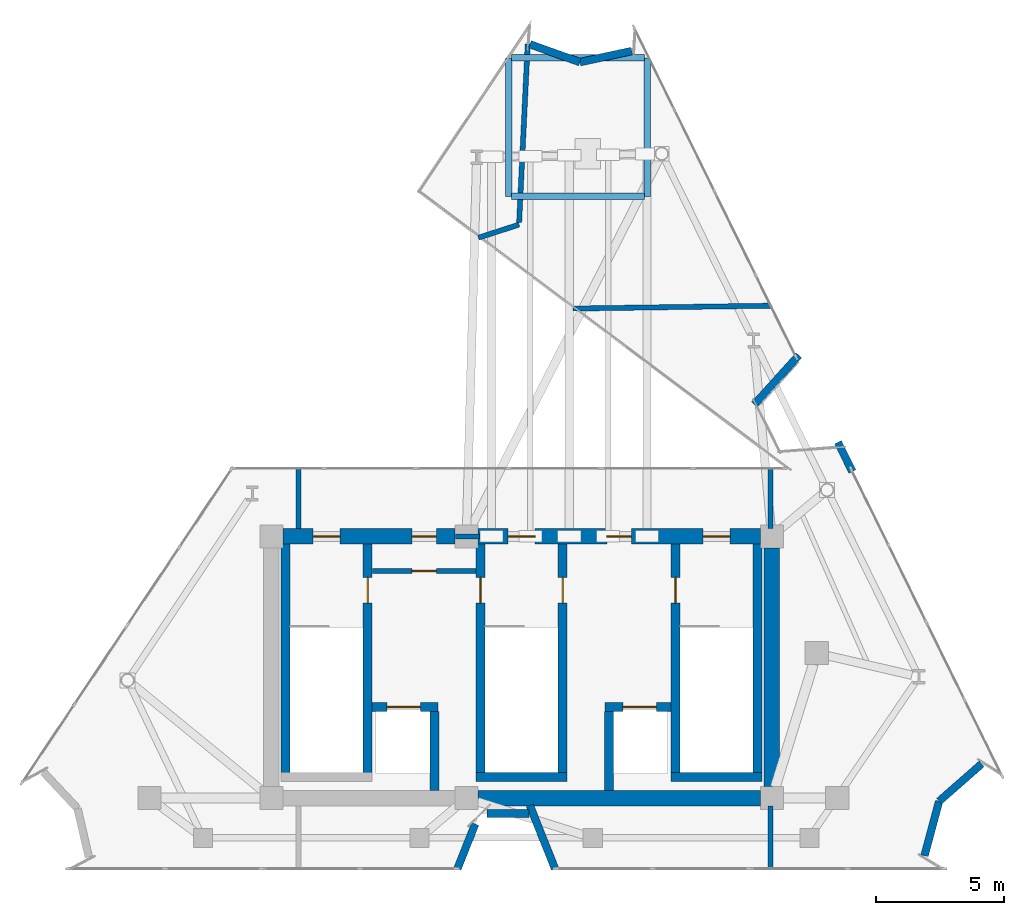
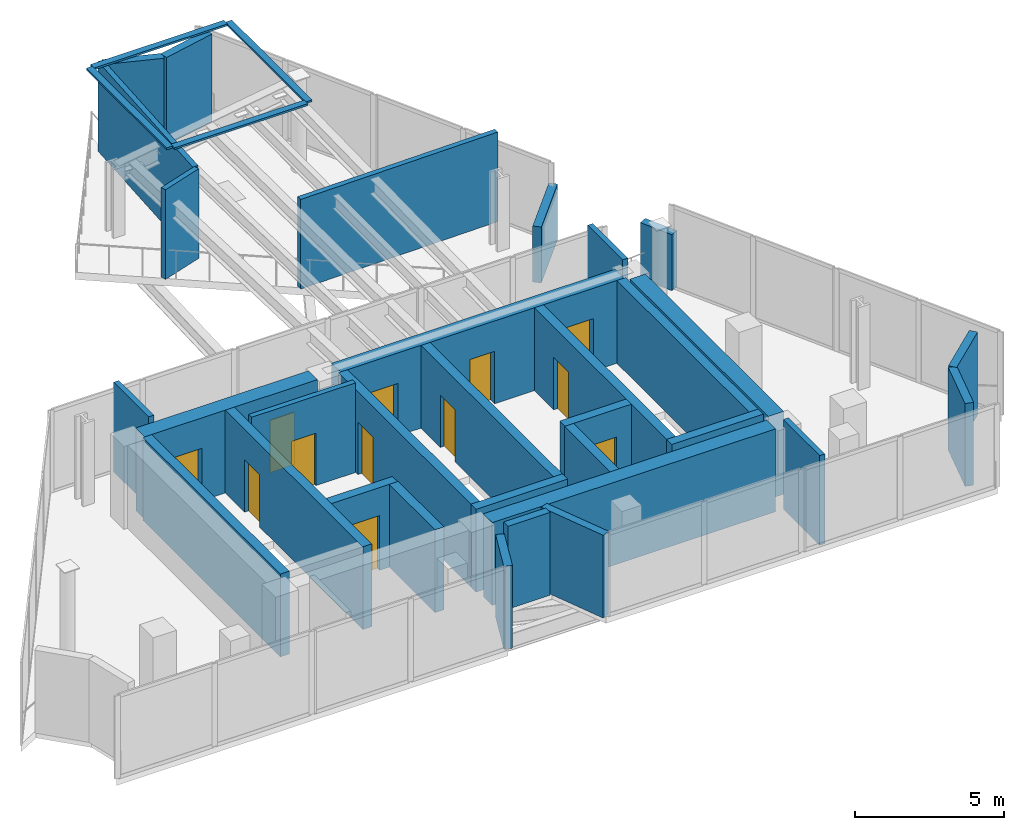
# One storey, part 6 of 7: 37 walls, 12 doors, 12 openings.
"""IFC4 building model written with IfcOpenShell, lengths in metres."""

from ifc_helpers import new_model, si_unit, direction, frame, frame_2d, origin, place, context, subcontext, project, spatial, rectangle, extrude, material, layer, layer_set, type_object, element, fill, save


model = new_model("IFC4")

# Units and contexts
model_context = context("Model", 3, precision=1e-05, world=origin(), true_north=direction((0.0, 1.0)))
body_context = subcontext(model_context, "Body", "Model", "MODEL_VIEW")
ifc_project = project(units=[si_unit("LENGTHUNIT", "METRE"), si_unit("AREAUNIT", "SQUARE_METRE"), si_unit("VOLUMEUNIT", "CUBIC_METRE"), si_unit("PLANEANGLEUNIT", "RADIAN"), si_unit("MASSUNIT", "GRAM", prefix="KILO")], contexts=[model_context])

# Site, building, storey
site_placement = place(None, origin())
site = spatial("IfcSite", under=ifc_project, at=site_placement, CompositionType="ELEMENT")
building_placement = place(site_placement, origin())
building = spatial("IfcBuilding", under=site, at=building_placement, Name="Almagre Mirador Tower", CompositionType="ELEMENT")
storey_placement = place(building_placement, frame((0.0, 0.0, 318.5)))
storey = spatial("IfcBuildingStorey", under=building, at=storey_placement, Name="L82", CompositionType="ELEMENT", Elevation=318.5)

# Walls
ifc_material_1 = material(Name="Precast concrete C50/60", Category="concrete")
ifc_layer_1 = layer(ifc_material_1, 0.300048828125)
ifc_layer_set_1 = layer_set([ifc_layer_1], Name="Precast concrete C50/60")
wall_type_1 = type_object("IfcWallType", Name="WAL-EXT-300", PredefinedType="SOLIDWALL", material=ifc_layer_set_1)
wall_1_placement = place(storey_placement, frame((37.6240234375, 33.927490234375, 0.0), z_axis=(0.0, 0.0, 1.0), x_axis=(0.941672407687, -0.336530944493, 0.0)))
element("IfcWall", 1, at=wall_1_placement, inside=storey, type_object=wall_type_1, Name="L82 expressed almagre precast frame wall 01", PredefinedType="SOLIDWALL", context=body_context, shape_type="SweptSolid", body=[
    extrude(rectangle(XDim=2.06689453125, YDim=0.300048828125, at=frame_2d((1.033447265625, 0.0))), origin(), (0.0, 0.0, 1.0), 3.60009765625),
])
wall_2_placement = place(storey_placement, frame((39.57568359375, 33.231689453125, 0.0), z_axis=(0.0, 0.0, 1.0), x_axis=(0.977608338725, 0.210432735227, 0.0)))
element("IfcWall", 2, at=wall_2_placement, inside=storey, type_object=wall_type_1, Name="L82 expressed almagre precast frame wall 02", PredefinedType="SOLIDWALL", context=body_context, shape_type="SweptSolid", body=[
    extrude(rectangle(XDim=2.06640625, YDim=0.300048828125, at=frame_2d((1.033203125, 0.0))), origin(), (0.0, 0.0, 1.0), 3.60009765625),
])
wall_3_placement = place(storey_placement, frame((48.105712890625, 21.80859375, 0.0), z_axis=(0.0, 0.0, 1.0), x_axis=(-0.670777387581, -0.741658746534, 0.0)))
element("IfcWall", 3, at=wall_3_placement, inside=storey, type_object=wall_type_1, Name="L82 expressed almagre precast frame wall 03", PredefinedType="SOLIDWALL", context=body_context, shape_type="SweptSolid", body=[
    extrude(rectangle(XDim=2.586669921875, YDim=0.300048828125, at=frame_2d((1.29345703125, 0.0))), origin(), (0.0, 0.0, 1.0), 2.300048828125),
])
wall_4_placement = place(storey_placement, frame((49.626220703125, 18.42041015625, 0.0), z_axis=(0.0, 0.0, 1.0), x_axis=(0.441392834137, -0.897313972906, 0.0)))
element("IfcWall", 4, at=wall_4_placement, inside=storey, type_object=wall_type_1, Name="L82 expressed almagre precast frame wall 04", PredefinedType="SOLIDWALL", context=body_context, shape_type="SweptSolid", body=[
    extrude(rectangle(XDim=1.277099609375, YDim=0.300048828125, at=frame_2d((0.638671875, 0.0))), origin(), (0.0, 0.0, 1.0), 2.300048828125),
])
wall_5_placement = place(storey_placement, frame((55.227294921875, 5.884033203125, 0.0), z_axis=(0.0, 0.0, 1.0), x_axis=(-0.751785184768, -0.659408095161, 0.0)))
element("IfcWall", 5, at=wall_5_placement, inside=storey, type_object=wall_type_1, Name="L82 expressed almagre precast frame wall 05", PredefinedType="SOLIDWALL", context=body_context, shape_type="SweptSolid", body=[
    extrude(rectangle(XDim=2.198974609375, YDim=0.300048828125, at=frame_2d((1.099609375, 0.0))), origin(), (0.0, 0.0, 1.0), 3.39990234375),
])
wall_6_placement = place(storey_placement, frame((53.5712890625, 4.42919921875, 0.0), z_axis=(0.0, 0.0, 1.0), x_axis=(-0.259846037112, -0.965650059285, 0.0)))
element("IfcWall", 6, at=wall_6_placement, inside=storey, type_object=wall_type_1, Name="L82 expressed almagre precast frame wall 06", PredefinedType="SOLIDWALL", context=body_context, shape_type="SweptSolid", body=[
    extrude(rectangle(XDim=2.198486328125, YDim=0.300048828125, at=frame_2d((1.09912109375, 0.0))), origin(), (0.0, 0.0, 1.0), 3.39990234375),
])
wall_7_placement = place(storey_placement, frame((38.599853515625, 1.80029296875, 0.0), z_axis=(0.0, 0.0, 1.0), x_axis=(-0.369518892364, 0.929223217632, 0.0)))
element("IfcWall", 7, at=wall_7_placement, inside=storey, type_object=wall_type_1, Name="L82 expressed almagre precast frame wall 07", PredefinedType="SOLIDWALL", context=body_context, shape_type="SweptSolid", body=[
    extrude(rectangle(XDim=2.65478515625, YDim=0.300048828125, at=frame_2d((1.327392578125, 0.0))), origin(), (0.0, 0.0, 1.0), 3.39990234375),
])
wall_8_placement = place(storey_placement, frame((37.583251953125, 3.949951171875, 0.0), z_axis=(0.0, 0.0, 1.0), x_axis=(-1.0, 0.0, 0.0)))
element("IfcWall", 8, at=wall_8_placement, inside=storey, type_object=wall_type_1, Name="L82 expressed almagre precast frame wall 08", PredefinedType="SOLIDWALL", context=body_context, shape_type="SweptSolid", body=[
    extrude(rectangle(XDim=1.623291015625, YDim=0.300048828125, at=frame_2d((0.8115234375, 0.0))), origin(), (0.0, 0.0, 1.0), 3.39990234375),
])
wall_9_placement = place(storey_placement, frame((35.49267578125, 3.5419921875, 0.0), z_axis=(0.0, 0.0, 1.0), x_axis=(-0.36952597164, -0.929220402425, 0.0)))
element("IfcWall", 9, at=wall_9_placement, inside=storey, type_object=wall_type_1, Name="L82 expressed almagre precast frame wall 09", PredefinedType="SOLIDWALL", context=body_context, shape_type="SweptSolid", body=[
    extrude(rectangle(XDim=1.874267578125, YDim=0.300048828125, at=frame_2d((0.93701171875, 0.0))), origin(), (0.0, 0.0, 1.0), 3.39990234375),
])
ifc_material_2 = material(Name="Precast concrete C50/60", Category="concrete")
ifc_layer_2 = layer(ifc_material_2, 0.25)
ifc_layer_set_2 = layer_set([ifc_layer_2], Name="Precast concrete C50/60")
wall_type_2 = type_object("IfcWallType", Name="WAL-PAR-250", PredefinedType="PARAPET", material=ifc_layer_set_2)
wall_10_placement = place(storey_placement, frame((36.800048828125, 28.0, 3.919921875), z_axis=(0.0, 0.0, 1.0), x_axis=(0.0, 1.0, 0.0)))
element("IfcWall", 10, at=wall_10_placement, inside=storey, type_object=wall_type_2, Name="Crown apex roof curb parapet 1", PredefinedType="PARAPET", context=body_context, shape_type="SweptSolid", body=[
    extrude(rectangle(XDim=5.39990234375, YDim=0.25, at=frame_2d((2.699951171875, 0.0))), origin(), (0.0, 0.0, 1.0), 0.080078125),
])
wall_11_placement = place(storey_placement, frame((36.909912109375, 33.39990234375, 3.919921875), z_axis=(0.0, 0.0, 1.0), x_axis=(1.0, 0.0, 0.0)))
element("IfcWall", 11, at=wall_11_placement, inside=storey, type_object=wall_type_2, Name="Crown apex roof curb parapet 2", PredefinedType="PARAPET", context=body_context, shape_type="SweptSolid", body=[
    extrude(rectangle(XDim=5.18017578125, YDim=0.25, at=frame_2d((2.590087890625, 0.0))), origin(), (0.0, 0.0, 1.0), 0.080078125),
])
wall_12_placement = place(storey_placement, frame((42.199951171875, 33.39990234375, 3.919921875), z_axis=(0.0, 0.0, 1.0), x_axis=(0.0, -1.0, 0.0)))
element("IfcWall", 12, at=wall_12_placement, inside=storey, type_object=wall_type_2, Name="Crown apex roof curb parapet 3", PredefinedType="PARAPET", context=body_context, shape_type="SweptSolid", body=[
    extrude(rectangle(XDim=5.39990234375, YDim=0.25, at=frame_2d((2.699951171875, 0.0))), origin(), (0.0, 0.0, 1.0), 0.080078125),
])
wall_13_placement = place(storey_placement, frame((42.090087890625, 28.0, 3.919921875), z_axis=(0.0, 0.0, 1.0), x_axis=(-1.0, 0.0, 0.0)))
element("IfcWall", 13, at=wall_13_placement, inside=storey, type_object=wall_type_2, Name="Crown apex roof curb parapet 4", PredefinedType="PARAPET", context=body_context, shape_type="SweptSolid", body=[
    extrude(rectangle(XDim=5.18017578125, YDim=0.25, at=frame_2d((2.590087890625, 0.0))), origin(), (0.0, 0.0, 1.0), 0.080078125),
])
ifc_material_3 = material(Name="Gypsum acoustic stud partition", Category="other")
ifc_layer_3 = layer(ifc_material_3, 0.199951171875)
ifc_layer_set_3 = layer_set([ifc_layer_3], Name="Gypsum acoustic stud partition")
wall_type_3 = type_object("IfcWallType", Name="WAL-PRT-200-EI60", PredefinedType="PARTITIONING", material=ifc_layer_set_3)
wall_14_placement = place(storey_placement, frame((34.719970703125, 14.75, 0.0), z_axis=(0.0, 0.0, 1.0), x_axis=(1.0, 0.0, 0.0)))
element("IfcWall", 14, at=wall_14_placement, inside=storey, type_object=wall_type_3, Name="L82 core north closure wall", PredefinedType="PARTITIONING", context=body_context, shape_type="SweptSolid", body=[
    extrude(rectangle(XDim=0.93505859375, YDim=0.199951171875, at=frame_2d((0.467529296875, 0.0))), origin(), (0.0, 0.0, 1.0), 2.659912109375),
])

# Wall, opening, door
wall_15_placement = place(storey_placement, frame((31.47998046875, 13.39990234375, 0.0), z_axis=(0.0, 0.0, 1.0), x_axis=(1.0, 0.0, 0.0)))
wall_15 = element("IfcWall", 15, at=wall_15_placement, inside=storey, type_object=wall_type_3, Name="L82 FFL-1 north enclosure wall", PredefinedType="PARTITIONING", context=body_context, shape_type="SweptSolid", body=[
    extrude(rectangle(XDim=4.0400390625, YDim=0.199951171875, at=frame_2d((2.02001953125, 0.0))), origin(), (0.0, 0.0, 1.0), 3.679931640625),
])
opening_1_placement = place(wall_15_placement, frame((1.544921875, 0.0, 0.0)))
opening_1 = element("IfcOpeningElement", 16, at=opening_1_placement, cuts=wall_15, Name="Opening ID-02", PredefinedType="OPENING", context=body_context, shape_type="SweptSolid", body=[
    extrude(rectangle(XDim=0.949951171875, YDim=2.14990234375, at=frame_2d((0.47509765625, 1.074951171875))), frame((0.0, 0.110098, 0.0), z_axis=(0.0, -1.0, 0.0), x_axis=(1.0, 0.0, 0.0)), (0.0, 0.0, 1.0), 0.219951),
])
ifc_material_4 = material(Name="Fire-rated walnut timber", Category="wood")
door_type_1 = type_object("IfcDoorType", Name="DOR-FD60-950X2150", OperationType="NOTDEFINED", PredefinedType="DOOR", material=ifc_material_4)
door_1_placement = place(opening_1_placement, origin())
door_1 = element("IfcDoor", 17, at=door_1_placement, inside=storey, type_object=door_type_1, Name="DR-2371 L82 FFL-1 north smoke door", OperationType="SINGLE_SWING_RIGHT", OverallHeight=2.14990234375, OverallWidth=0.949951171875, PredefinedType="DOOR", context=body_context, shape_type="SweptSolid", body=[
    extrude(rectangle(XDim=0.949951171875, YDim=2.14990234375, at=frame_2d((0.47509765625, 1.074951171875))), frame((0.0, 0.02490234375, 0.0), z_axis=(0.0, -1.0, 0.0), x_axis=(1.0, 0.0, 0.0)), (0.0, 0.0, 1.0), 0.050048828125),
])
fill(opening_1, door_1)

# Walls
wall_16_placement = place(storey_placement, frame((35.615966796875, 26.387939453125, 0.0), z_axis=(0.0, 0.0, 1.0), x_axis=(0.951532911974, 0.307546935328, 0.0)))
element("IfcWall", 18, at=wall_16_placement, inside=storey, type_object=wall_type_3, Name="L82 interior partition 001", PredefinedType="PARTITIONING", context=body_context, shape_type="SweptSolid", body=[
    extrude(rectangle(XDim=1.66455078125, YDim=0.199951171875, at=frame_2d((0.832275390625, 0.0))), origin(), (0.0, 0.0, 1.0), 3.679931640625),
])
wall_17_placement = place(storey_placement, frame((37.20361328125, 26.98486328125, 0.0), z_axis=(0.0, 0.0, 1.0), x_axis=(0.047901695933, 0.998852054874, 0.0)))
element("IfcWall", 19, at=wall_17_placement, inside=storey, type_object=wall_type_3, Name="L82 interior partition 002", PredefinedType="PARTITIONING", context=body_context, shape_type="SweptSolid", body=[
    extrude(rectangle(XDim=6.962158203125, YDim=0.199951171875, at=frame_2d((3.48095703125, 0.0))), origin(), (0.0, 0.0, 1.0), 3.679931640625),
])
wall_18_placement = place(storey_placement, frame((47.0, 1.800048828125, 0.0), z_axis=(0.0, 0.0, 1.0), x_axis=(0.0, 1.0, 0.0)))
element("IfcWall", 20, at=wall_18_placement, inside=storey, type_object=wall_type_3, Name="L82 interior partition 004", PredefinedType="PARTITIONING", context=body_context, shape_type="SweptSolid", body=[
    extrude(rectangle(XDim=2.449951171875, YDim=0.199951171875, at=frame_2d((1.22509765625, 0.0))), origin(), (0.0, 0.0, 1.0), 3.679931640625),
])
for number, where, z_axis, x_axis, name in (
    (21, (28.60009765625, 17.39990234375, 0.0), (0.0, 0.0, 1.0), (0.0, -1.0, 0.0), "L82 interior partition 005"),
    (22, (47.0, 15.050048828125, 0.0), (0.0, 0.0, 1.0), (0.0, 1.0, 0.0), "L82 interior partition 006"),
):
    element("IfcWall", number, at=place(storey_placement, frame(where, z_axis=z_axis, x_axis=x_axis)), inside=storey, type_object=wall_type_3, Name=name, PredefinedType="PARTITIONING", context=body_context, shape_type="SweptSolid", body=[
        extrude(rectangle(XDim=2.349853515625, YDim=0.199951171875, at=frame_2d((1.1748046875, 0.0))), origin(), (0.0, 0.0, 1.0), 3.679931640625),
    ])
wall_19_placement = place(storey_placement, frame((39.2958984375, 23.6279296875, 0.0), z_axis=(0.0, 0.0, 1.0), x_axis=(0.999894530955, 0.014523324886, 0.0)))
element("IfcWall", 23, at=wall_19_placement, inside=storey, type_object=wall_type_3, Name="L82 interior partition 007", PredefinedType="PARTITIONING", context=body_context, shape_type="SweptSolid", body=[
    extrude(rectangle(XDim=7.7158203125, YDim=0.199951171875, at=frame_2d((3.85791015625, 0.0))), origin(), (0.0, 0.0, 1.0), 3.679931640625),
])
ifc_material_5 = material(Name="Concrete C60/75", Category="concrete")
ifc_layer_4 = layer(ifc_material_5, 0.35009765625)
ifc_layer_set_4 = layer_set([ifc_layer_4], Name="Concrete C60/75")
wall_type_4 = type_object("IfcWallType", Name="WAL-SHF-350", PredefinedType="SOLIDWALL", material=ifc_layer_set_4)
wall_20_placement = place(storey_placement, frame((28.10009765625, 5.199951171875, 0.0), z_axis=(0.0, 0.0, 1.0), x_axis=(0.0, 1.0, 0.0)))
element("IfcWall", 24, at=wall_20_placement, inside=storey, type_object=wall_type_4, Name="L82 shaft wall ST1-W", PredefinedType="SOLIDWALL", context=body_context, shape_type="SweptSolid", body=[
    extrude(rectangle(XDim=9.25, YDim=0.35009765625, at=frame_2d((4.625, 0.0))), origin(), (0.0, 0.0, 1.0), 3.39990234375),
])

# Wall, opening, door
wall_21_placement = place(storey_placement, frame((31.300048828125, 5.199951171875, 0.0), z_axis=(0.0, 0.0, 1.0), x_axis=(0.0, 1.0, 0.0)))
wall_21 = element("IfcWall", 25, at=wall_21_placement, inside=storey, type_object=wall_type_4, Name="L82 shaft wall ST1-E", PredefinedType="SOLIDWALL", context=body_context, shape_type="SweptSolid", body=[
    extrude(rectangle(XDim=9.25, YDim=0.35009765625, at=frame_2d((4.625, 0.0))), origin(), (0.0, 0.0, 1.0), 3.39990234375),
])
opening_2_placement = place(wall_21_placement, frame((6.949951171875, 0.0, 0.0)))
opening_2 = element("IfcOpeningElement", 26, at=opening_2_placement, cuts=wall_21, Name="Opening FD-01", PredefinedType="OPENING", context=body_context, shape_type="SweptSolid", body=[
    extrude(rectangle(XDim=1.0, YDim=2.14990234375, at=frame_2d((0.5, 1.074951171875))), frame((0.0, 0.185049, 0.0), z_axis=(0.0, -1.0, 0.0), x_axis=(1.0, 0.0, 0.0)), (0.0, 0.0, 1.0), 0.370098),
])
ifc_material_6 = material(Name="Fire-rated hollow steel", Category="steel")
door_type_2 = type_object("IfcDoorType", Name="DOR-FFL-1000X2150", OperationType="NOTDEFINED", PredefinedType="DOOR", material=ifc_material_6)
door_2_placement = place(opening_2_placement, origin())
door_2 = element("IfcDoor", 27, at=door_2_placement, inside=storey, type_object=door_type_2, Name="DR-2372 L82 FFL1-ST1 smokeproof door", OperationType="SINGLE_SWING_RIGHT", OverallHeight=2.14990234375, OverallWidth=1.0, PredefinedType="DOOR", context=body_context, shape_type="SweptSolid", body=[
    extrude(rectangle(XDim=1.0, YDim=2.14990234375, at=frame_2d((0.5, 1.074951171875))), frame((0.0, 0.02490234375, 0.0), z_axis=(0.0, -1.0, 0.0), x_axis=(1.0, 0.0, 0.0)), (0.0, 0.0, 1.0), 0.050048828125),
])
fill(opening_2, door_2)

wall_22_placement = place(storey_placement, frame((35.699951171875, 5.199951171875, 0.0), z_axis=(0.0, 0.0, 1.0), x_axis=(0.0, 1.0, 0.0)))
wall_22 = element("IfcWall", 28, at=wall_22_placement, inside=storey, type_object=wall_type_4, Name="L82 shaft wall ST2-W", PredefinedType="SOLIDWALL", context=body_context, shape_type="SweptSolid", body=[
    extrude(rectangle(XDim=9.25, YDim=0.35009765625, at=frame_2d((4.625, 0.0))), origin(), (0.0, 0.0, 1.0), 3.39990234375),
])
opening_3_placement = place(wall_22_placement, frame((6.949951171875, 0.0, 0.0)))
opening_3 = element("IfcOpeningElement", 29, at=opening_3_placement, cuts=wall_22, Name="Opening FD-01", PredefinedType="OPENING", context=body_context, shape_type="SweptSolid", body=[
    extrude(rectangle(XDim=1.0, YDim=2.14990234375, at=frame_2d((0.5, 1.074951171875))), frame((0.0, 0.185049, 0.0), z_axis=(0.0, -1.0, 0.0), x_axis=(1.0, 0.0, 0.0)), (0.0, 0.0, 1.0), 0.370098),
])
door_3_placement = place(opening_3_placement, origin())
door_3 = element("IfcDoor", 30, at=door_3_placement, inside=storey, type_object=door_type_2, Name="DR-2373 L82 FFL1-ST2 smokeproof door", OperationType="SINGLE_SWING_LEFT", OverallHeight=2.14990234375, OverallWidth=1.0, PredefinedType="DOOR", context=body_context, shape_type="SweptSolid", body=[
    extrude(rectangle(XDim=1.0, YDim=2.14990234375, at=frame_2d((0.5, 1.074951171875))), frame((0.0, 0.02490234375, 0.0), z_axis=(0.0, -1.0, 0.0), x_axis=(1.0, 0.0, 0.0)), (0.0, 0.0, 1.0), 0.050048828125),
])
fill(opening_3, door_3)

wall_23_placement = place(storey_placement, frame((38.89990234375, 5.199951171875, 0.0), z_axis=(0.0, 0.0, 1.0), x_axis=(0.0, 1.0, 0.0)))
wall_23 = element("IfcWall", 31, at=wall_23_placement, inside=storey, type_object=wall_type_4, Name="L82 shaft wall ST2-E", PredefinedType="SOLIDWALL", context=body_context, shape_type="SweptSolid", body=[
    extrude(rectangle(XDim=9.25, YDim=0.35009765625, at=frame_2d((4.625, 0.0))), origin(), (0.0, 0.0, 1.0), 3.39990234375),
])
opening_4_placement = place(wall_23_placement, frame((6.949951171875, 0.0, 0.0)))
opening_4 = element("IfcOpeningElement", 32, at=opening_4_placement, cuts=wall_23, Name="Opening FD-01", PredefinedType="OPENING", context=body_context, shape_type="SweptSolid", body=[
    extrude(rectangle(XDim=1.0, YDim=2.14990234375, at=frame_2d((0.5, 1.074951171875))), frame((0.0, 0.185049, 0.0), z_axis=(0.0, -1.0, 0.0), x_axis=(1.0, 0.0, 0.0)), (0.0, 0.0, 1.0), 0.370098),
])
door_4_placement = place(opening_4_placement, origin())
door_4 = element("IfcDoor", 33, at=door_4_placement, inside=storey, type_object=door_type_2, Name="DR-2374 L82 FFL2-ST2 smokeproof door", OperationType="SINGLE_SWING_RIGHT", OverallHeight=2.14990234375, OverallWidth=1.0, PredefinedType="DOOR", context=body_context, shape_type="SweptSolid", body=[
    extrude(rectangle(XDim=1.0, YDim=2.14990234375, at=frame_2d((0.5, 1.074951171875))), frame((0.0, 0.02490234375, 0.0), z_axis=(0.0, -1.0, 0.0), x_axis=(1.0, 0.0, 0.0)), (0.0, 0.0, 1.0), 0.050048828125),
])
fill(opening_4, door_4)

# Wall
wall_24_placement = place(storey_placement, frame((35.52490234375, 5.375, 0.0), z_axis=(0.0, 0.0, 1.0), x_axis=(1.0, 0.0, 0.0)))
element("IfcWall", 34, at=wall_24_placement, inside=storey, type_object=wall_type_4, Name="L82 shaft wall ST2-S", PredefinedType="SOLIDWALL", context=body_context, shape_type="SweptSolid", body=[
    extrude(rectangle(XDim=3.550048828125, YDim=0.35009765625, at=frame_2d((1.77490234375, 0.0))), origin(), (0.0, 0.0, 1.0), 3.39990234375),
])

# Wall, opening, door
wall_25_placement = place(storey_placement, frame((43.300048828125, 5.199951171875, 0.0), z_axis=(0.0, 0.0, 1.0), x_axis=(0.0, 1.0, 0.0)))
wall_25 = element("IfcWall", 35, at=wall_25_placement, inside=storey, type_object=wall_type_4, Name="L82 shaft wall ST3-W", PredefinedType="SOLIDWALL", context=body_context, shape_type="SweptSolid", body=[
    extrude(rectangle(XDim=9.25, YDim=0.35009765625, at=frame_2d((4.625, 0.0))), origin(), (0.0, 0.0, 1.0), 3.39990234375),
])
opening_5_placement = place(wall_25_placement, frame((6.949951171875, 0.0, 0.0)))
opening_5 = element("IfcOpeningElement", 36, at=opening_5_placement, cuts=wall_25, Name="Opening FD-01", PredefinedType="OPENING", context=body_context, shape_type="SweptSolid", body=[
    extrude(rectangle(XDim=1.0, YDim=2.14990234375, at=frame_2d((0.5, 1.074951171875))), frame((0.0, 0.185049, 0.0), z_axis=(0.0, -1.0, 0.0), x_axis=(1.0, 0.0, 0.0)), (0.0, 0.0, 1.0), 0.370098),
])
door_5_placement = place(opening_5_placement, origin())
door_5 = element("IfcDoor", 37, at=door_5_placement, inside=storey, type_object=door_type_2, Name="DR-2375 L82 FFL2-ST3 smokeproof door", OperationType="SINGLE_SWING_LEFT", OverallHeight=2.14990234375, OverallWidth=1.0, PredefinedType="DOOR", context=body_context, shape_type="SweptSolid", body=[
    extrude(rectangle(XDim=1.0, YDim=2.14990234375, at=frame_2d((0.5, 1.074951171875))), frame((0.0, 0.02490234375, 0.0), z_axis=(0.0, -1.0, 0.0), x_axis=(1.0, 0.0, 0.0)), (0.0, 0.0, 1.0), 0.050048828125),
])
fill(opening_5, door_5)

# Walls
wall_26_placement = place(storey_placement, frame((46.5, 5.199951171875, 0.0), z_axis=(0.0, 0.0, 1.0), x_axis=(0.0, 1.0, 0.0)))
element("IfcWall", 38, at=wall_26_placement, inside=storey, type_object=wall_type_4, Name="L82 shaft wall ST3-E", PredefinedType="SOLIDWALL", context=body_context, shape_type="SweptSolid", body=[
    extrude(rectangle(XDim=9.25, YDim=0.35009765625, at=frame_2d((4.625, 0.0))), origin(), (0.0, 0.0, 1.0), 3.39990234375),
])
wall_27_placement = place(storey_placement, frame((43.125, 5.375, 0.0), z_axis=(0.0, 0.0, 1.0), x_axis=(1.0, 0.0, 0.0)))
element("IfcWall", 39, at=wall_27_placement, inside=storey, type_object=wall_type_4, Name="L82 shaft wall ST3-S", PredefinedType="SOLIDWALL", context=body_context, shape_type="SweptSolid", body=[
    extrude(rectangle(XDim=3.550048828125, YDim=0.35009765625, at=frame_2d((1.77490234375, 0.0))), origin(), (0.0, 0.0, 1.0), 3.39990234375),
])

# Wall, opening, door
wall_28_placement = place(storey_placement, frame((31.47509765625, 8.10009765625, 0.0), z_axis=(0.0, 0.0, 1.0), x_axis=(1.0, 0.0, 0.0)))
wall_28 = element("IfcWall", 40, at=wall_28_placement, inside=storey, type_object=wall_type_4, Name="L82 shaft wall FSAE1-N", PredefinedType="SOLIDWALL", context=body_context, shape_type="SweptSolid", body=[
    extrude(rectangle(XDim=2.574951171875, YDim=0.35009765625, at=frame_2d((1.28759765625, 0.0))), origin(), (0.0, 0.0, 1.0), 3.39990234375),
])
opening_6_placement = place(wall_28_placement, frame((0.574951171875, 0.0, 0.0)))
opening_6 = element("IfcOpeningElement", 41, at=opening_6_placement, cuts=wall_28, Name="Opening LD-03", PredefinedType="OPENING", context=body_context, shape_type="SweptSolid", body=[
    extrude(rectangle(XDim=1.300048828125, YDim=2.25, at=frame_2d((0.64990234375, 1.125))), frame((0.0, 0.185049, 0.0), z_axis=(0.0, -1.0, 0.0), x_axis=(1.0, 0.0, 0.0)), (0.0, 0.0, 1.0), 0.370098),
])
ifc_material_7 = material(Name="Hollow stainless steel", Category="steel")
door_type_3 = type_object("IfcDoorType", Name="DOR-LD-1300X2250", OperationType="DOUBLE_DOOR_SLIDING", PredefinedType="DOOR", material=ifc_material_7)
door_6_placement = place(opening_6_placement, origin())
door_6 = element("IfcDoor", 42, at=door_6_placement, inside=storey, type_object=door_type_3, Name="DR-2376 L82 FSAE-1 lift landing door", OperationType="DOUBLE_DOOR_SLIDING", OverallHeight=2.25, OverallWidth=1.300048828125, PredefinedType="DOOR", context=body_context, shape_type="SweptSolid", body=[
    extrude(rectangle(XDim=1.300048828125, YDim=2.25, at=frame_2d((0.64990234375, 1.125))), frame((0.0, 0.02490234375, 0.0), z_axis=(0.0, -1.0, 0.0), x_axis=(1.0, 0.0, 0.0)), (0.0, 0.0, 1.0), 0.050048828125),
])
fill(opening_6, door_6)

wall_29_placement = place(storey_placement, frame((40.550048828125, 8.10009765625, 0.0), z_axis=(0.0, 0.0, 1.0), x_axis=(1.0, 0.0, 0.0)))
wall_29 = element("IfcWall", 43, at=wall_29_placement, inside=storey, type_object=wall_type_4, Name="L82 shaft wall FSAE2-N", PredefinedType="SOLIDWALL", context=body_context, shape_type="SweptSolid", body=[
    extrude(rectangle(XDim=2.574951171875, YDim=0.35009765625, at=frame_2d((1.28759765625, 0.0))), origin(), (0.0, 0.0, 1.0), 3.39990234375),
])
opening_7_placement = place(wall_29_placement, frame((0.699951171875, 0.0, 0.0)))
opening_7 = element("IfcOpeningElement", 44, at=opening_7_placement, cuts=wall_29, Name="Opening LD-03", PredefinedType="OPENING", context=body_context, shape_type="SweptSolid", body=[
    extrude(rectangle(XDim=1.300048828125, YDim=2.25, at=frame_2d((0.64990234375, 1.125))), frame((0.0, 0.185049, 0.0), z_axis=(0.0, -1.0, 0.0), x_axis=(1.0, 0.0, 0.0)), (0.0, 0.0, 1.0), 0.370098),
])
door_7_placement = place(opening_7_placement, origin())
door_7 = element("IfcDoor", 45, at=door_7_placement, inside=storey, type_object=door_type_3, Name="DR-2377 L82 FSAE-2 lift landing door", OperationType="DOUBLE_DOOR_SLIDING", OverallHeight=2.25, OverallWidth=1.300048828125, PredefinedType="DOOR", context=body_context, shape_type="SweptSolid", body=[
    extrude(rectangle(XDim=1.300048828125, YDim=2.25, at=frame_2d((0.64990234375, 1.125))), frame((0.0, 0.02490234375, 0.0), z_axis=(0.0, -1.0, 0.0), x_axis=(1.0, 0.0, 0.0)), (0.0, 0.0, 1.0), 0.050048828125),
])
fill(opening_7, door_7)

# Walls
for number, where, z_axis, x_axis, name in (
    (46, (33.89990234375, 4.85009765625, 0.0), (0.0, 0.0, 1.0), (0.0, 1.0, 0.0), "L82 shaft wall FSAE1-E"),
    (47, (40.699951171875, 4.85009765625, 0.0), (0.0, 0.0, 1.0), (0.0, 1.0, 0.0), "L82 shaft wall FSAE2-W"),
):
    element("IfcWall", number, at=place(storey_placement, frame(where, z_axis=z_axis, x_axis=x_axis)), inside=storey, type_object=wall_type_4, Name=name, PredefinedType="SOLIDWALL", context=body_context, shape_type="SweptSolid", body=[
        extrude(rectangle(XDim=3.074951171875, YDim=0.35009765625, at=frame_2d((1.53759765625, 0.0))), origin(), (0.0, 0.0, 1.0), 3.39990234375),
    ])
ifc_material_8 = material(Name="Concrete C60/75", Category="concrete")
ifc_layer_5 = layer(ifc_material_8, 0.60009765625)
ifc_layer_set_5 = layer_set([ifc_layer_5], Name="Concrete C60/75")
wall_type_5 = type_object("IfcWallType", Name="WAL-SHR-600", PredefinedType="SHEAR", material=ifc_layer_set_5)
wall_30_placement = place(storey_placement, frame((35.60009765625, 4.550048828125, 0.0), z_axis=(0.0, 0.0, 1.0), x_axis=(1.0, 0.0, 0.0)))
element("IfcWall", 48, at=wall_30_placement, inside=storey, type_object=wall_type_5, Name="L82 core shear wall S2", PredefinedType="SHEAR", context=body_context, shape_type="SweptSolid", body=[
    extrude(rectangle(XDim=11.0, YDim=0.60009765625, at=frame_2d((5.5, 0.0))), origin(), (0.0, 0.0, 1.0), 3.39990234375),
])

# Wall, openings, doors
wall_31_placement = place(storey_placement, frame((28.0, 14.75, 0.0), z_axis=(0.0, 0.0, 1.0), x_axis=(1.0, 0.0, 0.0)))
wall_31 = element("IfcWall", 49, at=wall_31_placement, inside=storey, type_object=wall_type_5, Name="L82 core shear wall N1", PredefinedType="SHEAR", context=body_context, shape_type="SweptSolid", body=[
    extrude(rectangle(XDim=6.699951171875, YDim=0.60009765625, at=frame_2d((3.35009765625, 0.0))), origin(), (0.0, 0.0, 1.0), 3.39990234375),
])
opening_8_placement = place(wall_31_placement, frame((1.175048828125, 0.0, 0.0)))
opening_8 = element("IfcOpeningElement", 50, at=opening_8_placement, cuts=wall_31, Name="Opening SD-01", PredefinedType="OPENING", context=body_context, shape_type="SweptSolid", body=[
    extrude(rectangle(XDim=1.050048828125, YDim=2.14990234375, at=frame_2d((0.52490234375, 1.074951171875))), frame((0.0, 0.310049, 0.0), z_axis=(0.0, -1.0, 0.0), x_axis=(1.0, 0.0, 0.0)), (0.0, 0.0, 1.0), 0.620098),
])
opening_9_placement = place(wall_31_placement, frame((5.02490234375, 0.0, 0.0)))
opening_9 = element("IfcOpeningElement", 51, at=opening_9_placement, cuts=wall_31, Name="Opening FD-02", PredefinedType="OPENING", context=body_context, shape_type="SweptSolid", body=[
    extrude(rectangle(XDim=0.949951171875, YDim=2.14990234375, at=frame_2d((0.47509765625, 1.074951171875))), frame((0.0, 0.310049, 0.0), z_axis=(0.0, -1.0, 0.0), x_axis=(1.0, 0.0, 0.0)), (0.0, 0.0, 1.0), 0.620098),
])
ifc_material_9 = material(Name="Fire-rated hollow steel", Category="steel")
door_type_4 = type_object("IfcDoorType", Name="DOR-FD90-950X2150", OperationType="NOTDEFINED", PredefinedType="DOOR", material=ifc_material_9)
door_8_placement = place(opening_9_placement, origin())
door_8 = element("IfcDoor", 52, at=door_8_placement, inside=storey, type_object=door_type_4, Name="DR-2370 L82 core equipment room north door", OperationType="SINGLE_SWING_LEFT", OverallHeight=2.14990234375, OverallWidth=0.949951171875, PredefinedType="DOOR", context=body_context, shape_type="SweptSolid", body=[
    extrude(rectangle(XDim=0.949951171875, YDim=2.14990234375, at=frame_2d((0.47509765625, 1.074951171875))), frame((0.0, 0.02490234375, 0.0), z_axis=(0.0, -1.0, 0.0), x_axis=(1.0, 0.0, 0.0)), (0.0, 0.0, 1.0), 0.050048828125),
])
fill(opening_9, door_8)
ifc_material_10 = material(Name="Fire-rated hollow steel", Category="steel")
door_type_5 = type_object("IfcDoorType", Name="DOR-ST-1050X2150", OperationType="NOTDEFINED", PredefinedType="DOOR", material=ifc_material_10)
door_9_placement = place(opening_8_placement, origin())
door_9 = element("IfcDoor", 53, at=door_9_placement, inside=storey, type_object=door_type_5, Name="DR-2378 L82 protected exit stair ST-1 door", OperationType="SINGLE_SWING_LEFT", OverallHeight=2.14990234375, OverallWidth=1.050048828125, PredefinedType="DOOR", context=body_context, shape_type="SweptSolid", body=[
    extrude(rectangle(XDim=1.050048828125, YDim=2.14990234375, at=frame_2d((0.52490234375, 1.074951171875))), frame((0.0, 0.02490234375, 0.0), z_axis=(0.0, -1.0, 0.0), x_axis=(1.0, 0.0, 0.0)), (0.0, 0.0, 1.0), 0.050048828125),
])
fill(opening_8, door_9)

wall_32_placement = place(storey_placement, frame((35.60009765625, 14.75, 0.0), z_axis=(0.0, 0.0, 1.0), x_axis=(1.0, 0.0, 0.0)))
wall_32 = element("IfcWall", 54, at=wall_32_placement, inside=storey, type_object=wall_type_5, Name="L82 core shear wall N2", PredefinedType="SHEAR", context=body_context, shape_type="SweptSolid", body=[
    extrude(rectangle(XDim=11.0, YDim=0.60009765625, at=frame_2d((5.5, 0.0))), origin(), (0.0, 0.0, 1.0), 3.39990234375),
])
opening_10_placement = place(wall_32_placement, frame((1.175048828125, 0.0, 0.0)))
opening_10 = element("IfcOpeningElement", 55, at=opening_10_placement, cuts=wall_32, Name="Opening SD-01", PredefinedType="OPENING", context=body_context, shape_type="SweptSolid", body=[
    extrude(rectangle(XDim=1.050048828125, YDim=2.14990234375, at=frame_2d((0.52490234375, 1.074951171875))), frame((0.0, 0.310049, 0.0), z_axis=(0.0, -1.0, 0.0), x_axis=(1.0, 0.0, 0.0)), (0.0, 0.0, 1.0), 0.620098),
])
opening_11_placement = place(wall_32_placement, frame((8.77490234375, 0.0, 0.0)))
opening_11 = element("IfcOpeningElement", 56, at=opening_11_placement, cuts=wall_32, Name="Opening SD-01", PredefinedType="OPENING", context=body_context, shape_type="SweptSolid", body=[
    extrude(rectangle(XDim=1.050048828125, YDim=2.14990234375, at=frame_2d((0.52490234375, 1.074951171875))), frame((0.0, 0.310049, 0.0), z_axis=(0.0, -1.0, 0.0), x_axis=(1.0, 0.0, 0.0)), (0.0, 0.0, 1.0), 0.620098),
])
opening_12_placement = place(wall_32_placement, frame((5.02490234375, 0.0, 0.0)))
opening_12 = element("IfcOpeningElement", 57, at=opening_12_placement, cuts=wall_32, Name="Opening FD-02", PredefinedType="OPENING", context=body_context, shape_type="SweptSolid", body=[
    extrude(rectangle(XDim=0.949951171875, YDim=2.14990234375, at=frame_2d((0.47509765625, 1.074951171875))), frame((0.0, 0.310049, 0.0), z_axis=(0.0, -1.0, 0.0), x_axis=(1.0, 0.0, 0.0)), (0.0, 0.0, 1.0), 0.620098),
])
door_10_placement = place(opening_12_placement, origin())
door_10 = element("IfcDoor", 58, at=door_10_placement, inside=storey, type_object=door_type_4, Name="DR-2369 L82 high-zone core room north door", OperationType="SINGLE_SWING_RIGHT", OverallHeight=2.14990234375, OverallWidth=0.949951171875, PredefinedType="DOOR", context=body_context, shape_type="SweptSolid", body=[
    extrude(rectangle(XDim=0.949951171875, YDim=2.14990234375, at=frame_2d((0.47509765625, 1.074951171875))), frame((0.0, 0.02490234375, 0.0), z_axis=(0.0, -1.0, 0.0), x_axis=(1.0, 0.0, 0.0)), (0.0, 0.0, 1.0), 0.050048828125),
])
fill(opening_12, door_10)
door_11_placement = place(opening_10_placement, origin())
door_11 = element("IfcDoor", 59, at=door_11_placement, inside=storey, type_object=door_type_5, Name="DR-2379 L82 protected exit stair ST-2 door", OperationType="SINGLE_SWING_RIGHT", OverallHeight=2.14990234375, OverallWidth=1.050048828125, PredefinedType="DOOR", context=body_context, shape_type="SweptSolid", body=[
    extrude(rectangle(XDim=1.050048828125, YDim=2.14990234375, at=frame_2d((0.52490234375, 1.074951171875))), frame((0.0, 0.02490234375, 0.0), z_axis=(0.0, -1.0, 0.0), x_axis=(1.0, 0.0, 0.0)), (0.0, 0.0, 1.0), 0.050048828125),
])
fill(opening_10, door_11)
door_12_placement = place(opening_11_placement, origin())
door_12 = element("IfcDoor", 60, at=door_12_placement, inside=storey, type_object=door_type_5, Name="DR-2380 L82 protected exit stair ST-3 door", OperationType="SINGLE_SWING_LEFT", OverallHeight=2.14990234375, OverallWidth=1.050048828125, PredefinedType="DOOR", context=body_context, shape_type="SweptSolid", body=[
    extrude(rectangle(XDim=1.050048828125, YDim=2.14990234375, at=frame_2d((0.52490234375, 1.074951171875))), frame((0.0, 0.02490234375, 0.0), z_axis=(0.0, -1.0, 0.0), x_axis=(1.0, 0.0, 0.0)), (0.0, 0.0, 1.0), 0.050048828125),
])
fill(opening_11, door_12)

# Wall
wall_33_placement = place(storey_placement, frame((47.050048828125, 5.0, 0.0), z_axis=(0.0, 0.0, 1.0), x_axis=(0.0, 1.0, 0.0)))
element("IfcWall", 61, at=wall_33_placement, inside=storey, type_object=wall_type_5, Name="L82 core shear wall E1", PredefinedType="SHEAR", context=body_context, shape_type="SweptSolid", body=[
    extrude(rectangle(XDim=9.300048828125, YDim=0.60009765625, at=frame_2d((4.64990234375, 0.0))), origin(), (0.0, 0.0, 1.0), 3.39990234375),
])

save(model, "model.ifc")
